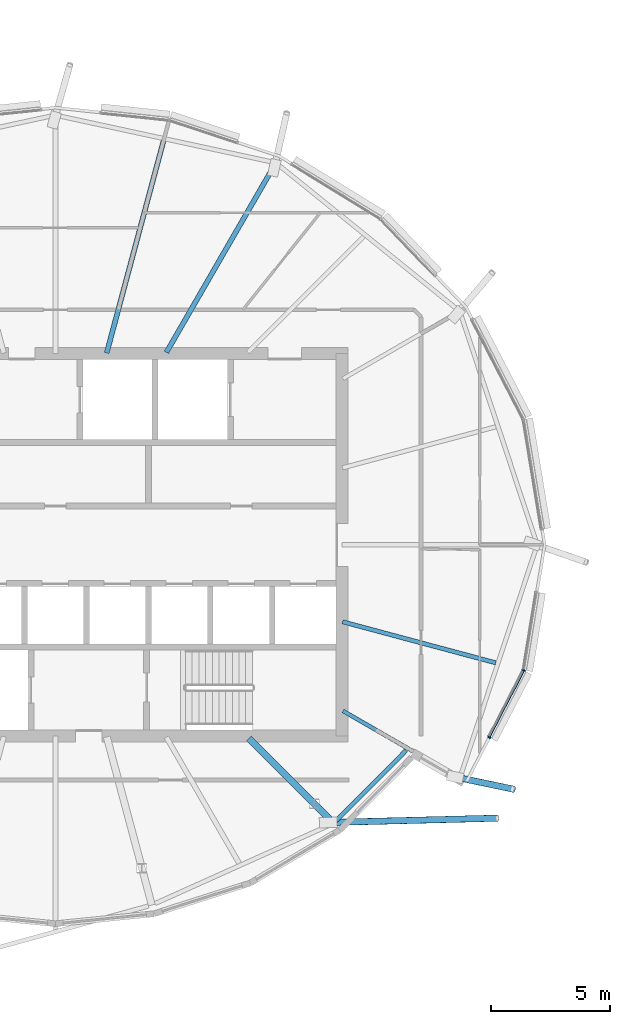
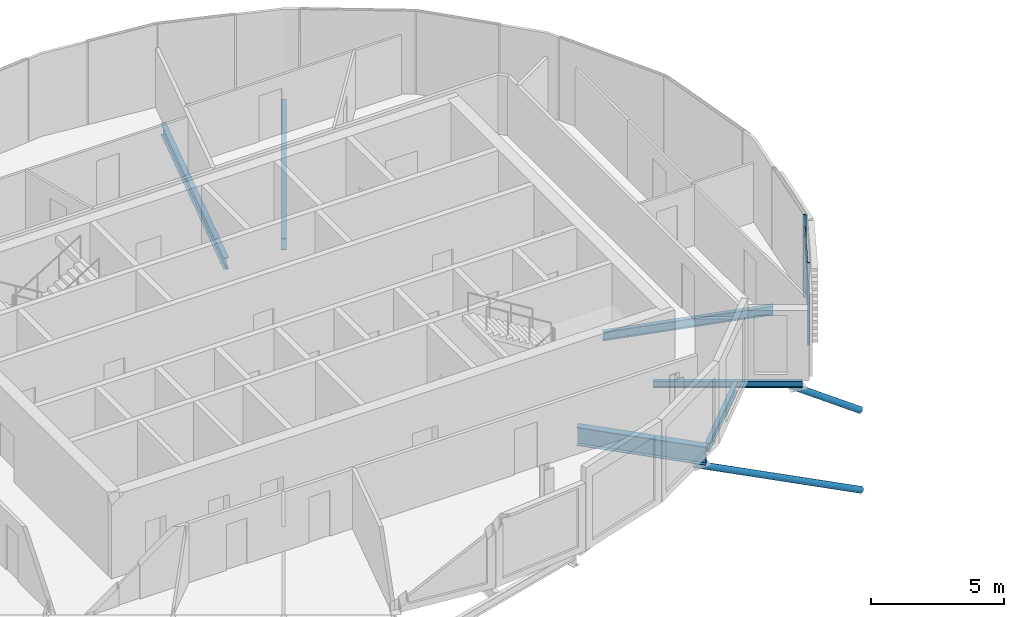
# One storey, part 6 of 33: 6 beams, 5 members, 1 element without a shape of its own.
"""IFC4 building model written with IfcOpenShell, lengths in metres."""

import ifcopenshell
import ifcopenshell.guid

model = None  # the IFC model being written
_history = None  # IfcOwnerHistory: only IFC2X3 demands one
_inside = {}  # id of a spatial element -> (the spatial element, [elements in it])
_under = {}  # id of a project, library or spatial element -> (it, [spatial elements below it])
_declared = {}  # id of a project -> (the project, [libraries it declares])
_typed = {}  # id of a type object -> (the type object, [elements of that type])
_made_of = {}  # id of a material, layer set ... -> (it, [elements and type objects made of it])


def new_model(schema):
    """Start an empty IFC model of exactly this schema.

    Asked for "IFC4X3", IfcOpenShell would pick the latest addendum, in which some entities
    have other attributes; the version numbers below select the first issue.
    IFC2X3 requires an IfcOwnerHistory on every rooted entity: one is made here for all.
    """
    global model, _history
    if schema == "IFC4X3":
        model = ifcopenshell.file(schema_version=(4, 3, 0, 0))
    else:
        model = ifcopenshell.file(schema=schema)
    _inside.clear()
    _under.clear()
    _declared.clear()
    _typed.clear()
    _made_of.clear()
    _history = None
    if model.schema == "IFC2X3":
        org = make("IfcOrganization", Name="unknown")
        user = make(
            "IfcPersonAndOrganization",
            ThePerson=make("IfcPerson", FamilyName="unknown"),
            TheOrganization=org,
        )
        app = make(
            "IfcApplication",
            ApplicationDeveloper=org,
            Version="unknown",
            ApplicationFullName="unknown",
            ApplicationIdentifier="unknown",
        )
        _history = make(
            "IfcOwnerHistory",
            OwningUser=user,
            OwningApplication=app,
            ChangeAction="ADDED",
            CreationDate=0,
        )
    return model


def make(cls, **values):
    """One entity of the class cls with the attributes given. An attribute that is None is left unset."""
    return model.create_entity(
        cls, **{name: value for name, value in values.items() if value is not None}
    )


def rooted(cls, **values):
    """An entity with a GlobalId (a new one), such as an element, a storey or a relation."""
    return make(cls, GlobalId=ifcopenshell.guid.new(), OwnerHistory=_history, **values)


def si_unit(unit_type, name, prefix=None):
    """IfcSIUnit, for example si_unit("LENGTHUNIT", "METRE", prefix="MILLI")."""
    return make("IfcSIUnit", UnitType=unit_type, Prefix=prefix, Name=name)


def assignment(units):
    """IfcUnitAssignment: the units of a project."""
    return None if units is None else make("IfcUnitAssignment", Units=units)


def point(xyz):
    """IfcCartesianPoint."""
    return None if xyz is None else make("IfcCartesianPoint", Coordinates=xyz)


def direction(xyz):
    """IfcDirection."""
    return None if xyz is None else make("IfcDirection", DirectionRatios=xyz)


def frame(location, z_axis=None, x_axis=None):
    """IfcAxis2Placement3D, a coordinate frame: its origin and axes. An axis left out is left unset."""
    return make(
        "IfcAxis2Placement3D",
        Location=point(location),
        Axis=direction(z_axis),
        RefDirection=direction(x_axis),
    )


def frame_2d(location, x_axis=None):
    """IfcAxis2Placement2D, a coordinate frame in the plane: its origin and x axis."""
    return make(
        "IfcAxis2Placement2D", Location=point(location), RefDirection=direction(x_axis)
    )


def origin():
    """The frame at (0, 0, 0) with its axes left unset."""
    return frame((0.0, 0.0, 0.0))


def origin_2d():
    """The frame at (0, 0) in the plane with its x axis left unset."""
    return frame_2d((0.0, 0.0))


def place(relative_to, where):
    """IfcLocalPlacement: puts the frame where relative to a parent placement (None: the world)."""
    return make(
        "IfcLocalPlacement", PlacementRelTo=relative_to, RelativePlacement=where
    )


def context(
    kind, dimensions, precision=None, world=None, true_north=None, identifier=None
):
    """IfcGeometricRepresentationContext, for example the 3D "Model" context."""
    return make(
        "IfcGeometricRepresentationContext",
        ContextIdentifier=identifier,
        ContextType=kind,
        CoordinateSpaceDimension=dimensions,
        Precision=precision,
        WorldCoordinateSystem=world,
        TrueNorth=true_north,
    )


def subcontext(parent, identifier, kind, view, scale=None):
    """IfcGeometricRepresentationSubContext, for example "Body" below "Model"."""
    return make(
        "IfcGeometricRepresentationSubContext",
        ContextIdentifier=identifier,
        ContextType=kind,
        ParentContext=parent,
        TargetScale=scale,
        TargetView=view,
    )


def project(units=None, contexts=None):
    """IfcProject with its units and contexts."""
    return rooted(
        "IfcProject",
        Name="project",
        RepresentationContexts=contexts,
        UnitsInContext=assignment(units),
    )


def spatial(cls, under=None, at=None, **own):
    """A site, building, storey or space (cls), placed at a placement, below another one or the project."""
    s = rooted(cls, ObjectPlacement=at, **own)
    if under is not None:
        _under.setdefault(under.id(), (under, []))[1].append(s)
    return s


def profile(cls, at=None, kind="AREA", **sizes):
    """A parametric profile (cls). Its sizes go by their IFC names, for example OverallWidth=200.0."""
    return make(cls, ProfileType=kind, Position=at, **sizes)


def rectangle(**sizes):
    """IfcRectangleProfileDef."""
    return profile("IfcRectangleProfileDef", **sizes)


def hollow_circle(**sizes):
    """IfcCircleHollowProfileDef."""
    return profile("IfcCircleHollowProfileDef", **sizes)


def i_section(**sizes):
    """IfcIShapeProfileDef."""
    return profile("IfcIShapeProfileDef", **sizes)


def extrude(swept, where, along, depth):
    """IfcExtrudedAreaSolid: the profile swept, set in the frame where, extruded along a direction by depth."""
    return make(
        "IfcExtrudedAreaSolid",
        SweptArea=swept,
        Position=where,
        ExtrudedDirection=direction(along),
        Depth=depth,
    )


def clip(a, b, op="DIFFERENCE"):
    """IfcBooleanClippingResult: the solid a cut by the half space b."""
    return make(
        "IfcBooleanClippingResult", Operator=op, FirstOperand=a, SecondOperand=b
    )


def halfspace(plane, agree):
    """IfcHalfSpaceSolid: all space on one side of the plane z = 0 of the frame plane."""
    return make(
        "IfcHalfSpaceSolid",
        BaseSurface=make("IfcPlane", Position=plane),
        AgreementFlag=agree,
    )


def shape(context_of_items, identifier, shape_type, items):
    """IfcShapeRepresentation: the items that make up one representation, for example the "Body"."""
    return make(
        "IfcShapeRepresentation",
        ContextOfItems=context_of_items,
        RepresentationIdentifier=identifier,
        RepresentationType=shape_type,
        Items=items,
    )


def material(Name=None, Category=None):
    """IfcMaterial."""
    return make("IfcMaterial", Name=Name, Category=Category)


def material_profile(
    of_material, cross_section, Name=None, Category=None, Priority=None
):
    """IfcMaterialProfile: a cross section and its material."""
    return make(
        "IfcMaterialProfile",
        Name=Name,
        Material=of_material,
        Profile=cross_section,
        Priority=Priority,
        Category=Category,
    )


def profile_set(profiles, Name=None, composite=None):
    """IfcMaterialProfileSet."""
    return make(
        "IfcMaterialProfileSet",
        Name=Name,
        MaterialProfiles=profiles,
        CompositeProfile=composite,
    )


def made_of(thing, what):
    """Note that an element or type object is made of a material, layer set ...; save() writes the relation."""
    if what is not None:
        _made_of.setdefault(what.id(), (what, []))[1].append(thing)
    return thing


def type_object(cls, material=None, **own):
    """A type object (cls), such as IfcWallType, which elements share."""
    return made_of(rooted(cls, **own), material)


def element(
    cls,
    number,
    at=None,
    inside=None,
    cuts=None,
    type_object=None,
    material=None,
    context=None,
    identifier="Body",
    shape_type=None,
    held_by="IfcProductDefinitionShape",
    body=None,
    shapes=None,
    **own,
):
    """One element of the class cls, such as IfcWall. Its Tag is "e" and its number.

    at: its placement. inside: the storey or other place that contains it. cuts: it is an
    opening in that element (IfcRelVoidsElement). A single representation is given by context,
    identifier, shape_type and body (its items); several are given by shapes. held_by: the class
    of the entity that holds the representations. save() writes the other relations.
    """
    e = rooted(cls, Tag="e%d" % number, ObjectPlacement=at, **own)
    if body is not None:
        shapes = [shape(context, identifier, shape_type, body)]
    if shapes is not None:
        e.Representation = make(held_by, Representations=shapes)
    if inside is not None:
        _inside.setdefault(inside.id(), (inside, []))[1].append(e)
    if cuts is not None:
        rooted(
            "IfcRelVoidsElement", RelatingBuildingElement=cuts, RelatedOpeningElement=e
        )
    if type_object is not None:
        _typed.setdefault(type_object.id(), (type_object, []))[1].append(e)
    return made_of(e, material)


def aggregate(whole, parts):
    """IfcRelAggregates: a whole, such as a stair, and the parts it consists of."""
    return rooted("IfcRelAggregates", RelatingObject=whole, RelatedObjects=parts)


def save(model, path):
    """Write the relations noted so far, then the file.

    IfcRelAggregates (storeys below a building ...), IfcRelContainedInSpatialStructure (elements
    in a storey), IfcRelDefinesByType, IfcRelAssociatesMaterial and IfcRelDeclares: one each for
    every whole, place, type object, material and project.
    """
    for whole, parts in _under.values():
        aggregate(whole, parts)
    for where, things in _inside.values():
        rooted(
            "IfcRelContainedInSpatialStructure",
            RelatedElements=things,
            RelatingStructure=where,
        )
    for kind, things in _typed.values():
        rooted("IfcRelDefinesByType", RelatedObjects=things, RelatingType=kind)
    for what, things in _made_of.values():
        rooted("IfcRelAssociatesMaterial", RelatedObjects=things, RelatingMaterial=what)
    for by, libraries in _declared.values():
        rooted("IfcRelDeclares", RelatingContext=by, RelatedDefinitions=libraries)
    model.write(path)


model = new_model("IFC4")

# Units and contexts
model_context = context("Model", 3, precision=1e-05, world=origin(), true_north=direction((0.0, 1.0)))
body_context = subcontext(model_context, "Body", "Model", "MODEL_VIEW")
ifc_project = project(units=[si_unit("LENGTHUNIT", "METRE"), si_unit("AREAUNIT", "SQUARE_METRE"), si_unit("VOLUMEUNIT", "CUBIC_METRE"), si_unit("PLANEANGLEUNIT", "RADIAN"), si_unit("MASSUNIT", "GRAM", prefix="KILO")], contexts=[model_context])

# Site, building, storey
site_placement = place(None, origin())
site = spatial("IfcSite", under=ifc_project, at=site_placement, CompositionType="ELEMENT")
building_placement = place(site_placement, origin())
building = spatial("IfcBuilding", under=site, at=building_placement, Name="Rimbun Link Towers", CompositionType="ELEMENT")
storey_placement = place(building_placement, frame((0.0, 0.0, 237.10009765625)))
storey = spatial("IfcBuildingStorey", under=building, at=storey_placement, Name="L58", CompositionType="ELEMENT", Elevation=237.10009765625)

# Curtain wall, members
ifc_material_1 = material(Name="Aluminium 6063-T6 and low-iron glass", Category="aluminium")
curtain_wall_type = type_object("IfcCurtainWallType", Name="CW1-Z4 unitised vision wall (zone 4)", PredefinedType="NOTDEFINED", material=ifc_material_1)
curtain_wall_placement = place(storey_placement, origin())
curtain_wall = element("IfcCurtainWall", 1, at=curtain_wall_placement, inside=storey, type_object=curtain_wall_type, Name="CW1 L58 T1", PredefinedType="NOTDEFINED")
ifc_material_2 = material(Name="Aluminium 6063-T6", Category="aluminium")
ifc_material_profile_1 = material_profile(ifc_material_2, rectangle(XDim=0.1201171875, YDim=0.06005859375, at=origin_2d()), Name="MULLION 60X120")
ifc_profile_set_1 = profile_set([ifc_material_profile_1], Name="Aluminium 6063-T6")
member_type_1 = type_object("IfcMemberType", Name="CW1 mullion 60X120", PredefinedType="MULLION", material=ifc_profile_set_1)
member_1_placement = place(storey_placement, frame((-12.1298828125, -5.260986328125, 0.0), z_axis=(0.0, 0.0, 1.0), x_axis=(0.949161339918, -0.314790010651, 0.0)))
member_1 = element("IfcMember", 2, at=member_1_placement, type_object=member_type_1, Name="CW1 mullion", PredefinedType="MULLION", context=body_context, shape_type="SweptSolid", body=[
    extrude(rectangle(XDim=0.1201171875, YDim=0.06005859375, at=origin_2d()), origin(), (0.0, 0.0, 1.0), 3.7998046875),
])
member_2_placement = place(storey_placement, frame((-13.579833984375, -8.06494140625, 0.0), z_axis=(0.0, 0.0, 1.0), x_axis=(0.888151937067, -0.459549928391, 0.0)))
member_2 = element("IfcMember", 3, at=member_2_placement, type_object=member_type_1, Name="CW1 mullion", PredefinedType="MULLION", context=body_context, shape_type="SweptSolid", body=[
    extrude(rectangle(XDim=0.1201171875, YDim=0.06005859375, at=origin_2d()), origin(), (0.0, 0.0, 1.0), 3.7998046875),
])
ifc_material_3 = material(Name="Aluminium 6063-T6", Category="aluminium")
ifc_material_profile_2 = material_profile(ifc_material_3, rectangle(XDim=0.06005859375, YDim=0.1201171875, at=origin_2d()), Name="TRANSOM 60X120")
ifc_profile_set_2 = profile_set([ifc_material_profile_2], Name="Aluminium 6063-T6")
member_type_2 = type_object("IfcMemberType", Name="CW1 transom 60X120", PredefinedType="USERDEFINED", material=ifc_profile_set_2)
member_3_placement = place(storey_placement, frame((-12.149169921875, -5.29541015625, 3.199951171875), z_axis=(-0.459506813834, -0.888174244189, 0.0), x_axis=(0.888174244189, -0.459506813834, 0.0)))
member_3 = element("IfcMember", 4, at=member_3_placement, type_object=member_type_2, Name="CW1 transom", ObjectType="TRANSOM", PredefinedType="USERDEFINED", context=body_context, shape_type="SweptSolid", body=[
    extrude(rectangle(XDim=0.06005859375, YDim=0.1201171875, at=origin_2d()), origin(), (0.0, 0.0, 1.0), 3.08740234375),
])
aggregate(curtain_wall, [member_1, member_2, member_3])

# Members
ifc_material_4 = material(Name="Steel S355J2H", Category="steel")
ifc_material_profile_3 = material_profile(ifc_material_4, hollow_circle(Radius=0.136474609375, WallThickness=0.012451171875, at=origin_2d()), Name="CHS 273x12.5")
ifc_profile_set_3 = profile_set([ifc_material_profile_3], Name="Steel S355J2H")
member_type_3 = type_object("IfcMemberType", Name="Floor edge link CHS 273x12.5", PredefinedType="BRACE", material=ifc_profile_set_3)
member_4_placement = place(storey_placement, frame((-20.132080078125, -11.617919921875, -1.102783203125), z_axis=(0.884674721109, 0.022692003758, -0.465656215245), x_axis=(-0.025641676025, 0.99967119817, 0.0)))
element("IfcMember", 5, at=member_4_placement, inside=storey, type_object=member_type_3, Name="Floor edge link T1 L58 21", PredefinedType="BRACE", context=body_context, shape_type="Clipping", body=[
    clip(extrude(hollow_circle(Radius=0.136474609375, WallThickness=0.012451171875, at=origin_2d()), frame((0.0, 0.0, -0.540283203125)), (0.0, 0.0, 1.0), 8.329833984375), halfspace(frame((0.0, 0.0, -0.257568359375), z_axis=(0.0, 0.88496569945, -0.465656215245)), False)),
])
member_5_placement = place(storey_placement, frame((-14.864501953125, -9.748779296875, -0.558837890625), z_axis=(0.828728538409, -0.173700375326, -0.532012395755), x_axis=(0.205140987735, 0.97873243287, 0.0)))
element("IfcMember", 6, at=member_5_placement, inside=storey, type_object=member_type_3, Name="Floor edge link T1 L58 22", PredefinedType="BRACE", context=body_context, shape_type="Clipping", body=[
    clip(extrude(hollow_circle(Radius=0.136474609375, WallThickness=0.012451171875, at=origin_2d()), frame((0.0, 0.0, -0.453369140625)), (0.0, 0.0, 1.0), 3.227783203125), halfspace(frame((0.0, 0.0, -0.213134765625), z_axis=(0.0, 0.84673656515, -0.532012395755)), False)),
])

# Beams
ifc_material_5 = material(Name="Steel S355J2", Category="steel")
ifc_material_profile_4 = material_profile(ifc_material_5, i_section(OverallWidth=0.1650390625, OverallDepth=0.303466796875, WebThickness=0.006103515625, FlangeThickness=0.01025390625, at=origin_2d()), Name="UB 305x165x40")
ifc_profile_set_4 = profile_set([ifc_material_profile_4], Name="Steel S355J2")
beam_type_1 = type_object("IfcBeamType", Name="UB 305x165x40", PredefinedType="BEAM", material=ifc_profile_set_4)
beam_1_placement = place(storey_placement, frame((-19.7080078125, -6.952392578125, -0.291748046875), z_axis=(0.866029956157, -0.499992114976, 0.0), x_axis=(0.499992114976, 0.866029956157, 0.0)))
element("IfcBeam", 7, at=beam_1_placement, inside=storey, type_object=beam_type_1, Name="Radial beam T1 L58 22", PredefinedType="BEAM", context=body_context, shape_type="SweptSolid", body=[
    extrude(i_section(OverallWidth=0.1650390625, OverallDepth=0.303466796875, WebThickness=0.006103515625, FlangeThickness=0.01025390625, at=origin_2d()), origin(), (0.0, 0.0, 1.0), 5.642578125),
])
ifc_material_6 = material(Name="Steel S355J2", Category="steel")
ifc_material_profile_5 = material_profile(ifc_material_6, i_section(OverallWidth=0.177978515625, OverallDepth=0.406494140625, WebThickness=0.0078125, FlangeThickness=0.0126953125, at=origin_2d()), Name="UB 406x178x60")
ifc_profile_set_5 = profile_set([ifc_material_profile_5], Name="Steel S355J2")
beam_type_2 = type_object("IfcBeamType", Name="UB 406x178x60", PredefinedType="BEAM", material=ifc_profile_set_5)
beam_2_placement = place(storey_placement, frame((-19.72607421875, -3.2216796875, -0.34326171875), z_axis=(0.965919329481, -0.258843290303, 0.0), x_axis=(0.258843290303, 0.965919329481, 0.0)))
element("IfcBeam", 8, at=beam_2_placement, inside=storey, type_object=beam_type_2, Name="Radial beam T1 L58 23", PredefinedType="BEAM", context=body_context, shape_type="SweptSolid", body=[
    extrude(i_section(OverallWidth=0.177978515625, OverallDepth=0.406494140625, WebThickness=0.0078125, FlangeThickness=0.0126953125, at=origin_2d()), origin(), (0.0, 0.0, 1.0), 6.64013671875),
])
beam_3_placement = place(storey_placement, frame((-19.992919921875, -11.548583984375, -0.34326171875), z_axis=(0.704811284696, 0.709394849829, 0.0), x_axis=(-0.709394849829, 0.704811284696, 0.0)))
element("IfcBeam", 9, at=beam_3_placement, inside=storey, type_object=beam_type_2, Name="Edge beam T1 L58 21 recess", PredefinedType="BEAM", context=body_context, shape_type="SweptSolid", body=[
    extrude(i_section(OverallWidth=0.177978515625, OverallDepth=0.406494140625, WebThickness=0.0078125, FlangeThickness=0.0126953125, at=origin_2d()), origin(), (0.0, 0.0, 1.0), 4.154541015625),
])
ifc_material_7 = material(Name="Steel S355J2", Category="steel")
ifc_material_profile_6 = material_profile(ifc_material_7, i_section(OverallWidth=0.209228515625, OverallDepth=0.533203125, WebThickness=0.010009765625, FlangeThickness=0.015625, at=origin_2d()), Name="UB 533x210x92")
ifc_profile_set_6 = profile_set([ifc_material_profile_6], Name="Steel S355J2")
beam_type_3 = type_object("IfcBeamType", Name="UB 533x210x92", PredefinedType="BEAM", material=ifc_profile_set_6)
beam_4_placement = place(storey_placement, frame((-27.1005859375, 8.05322265625, -0.406494140625), z_axis=(0.500016122821, 0.866016095069, 0.0), x_axis=(-0.866016095069, 0.500016122821, 0.0)))
element("IfcBeam", 10, at=beam_4_placement, inside=storey, type_object=beam_type_3, Name="Radial beam T1 L58 04", PredefinedType="BEAM", context=body_context, shape_type="SweptSolid", body=[
    extrude(i_section(OverallWidth=0.209228515625, OverallDepth=0.533203125, WebThickness=0.010009765625, FlangeThickness=0.015625, at=origin_2d()), origin(), (0.0, 0.0, 1.0), 9.163330078125),
])
beam_5_placement = place(storey_placement, frame((-29.598876953125, 8.028076171875, -0.406494140625), z_axis=(0.2588320469, 0.965922342374, 0.0), x_axis=(-0.965922342374, 0.2588320469, 0.0)))
element("IfcBeam", 11, at=beam_5_placement, inside=storey, type_object=beam_type_3, Name="Radial beam T1 L58 05", PredefinedType="BEAM", context=body_context, shape_type="SweptSolid", body=[
    extrude(i_section(OverallWidth=0.209228515625, OverallDepth=0.533203125, WebThickness=0.010009765625, FlangeThickness=0.015625, at=origin_2d()), origin(), (0.0, 0.0, 1.0), 9.198486328125),
])
ifc_material_8 = material(Name="Steel S355J2", Category="steel")
ifc_material_profile_7 = material_profile(ifc_material_8, i_section(OverallWidth=0.29248046875, OverallDepth=0.8408203125, WebThickness=0.0126953125, FlangeThickness=0.021728515625, at=origin_2d()), Name="UB 838x292x194")
ifc_profile_set_7 = profile_set([ifc_material_profile_7], Name="Steel S355J2")
beam_type_4 = type_object("IfcBeamType", Name="UB 838x292x194", PredefinedType="BEAM", material=ifc_profile_set_7)
beam_6_placement = place(storey_placement, frame((-23.64599609375, -8.10400390625, -0.560546875), z_axis=(0.707106781187, -0.707106781187, 0.0), x_axis=(0.707106781187, 0.707106781187, 0.0)))
element("IfcBeam", 12, at=beam_6_placement, inside=storey, type_object=beam_type_4, Name="Radial beam T1 L58 21", PredefinedType="BEAM", context=body_context, shape_type="SweptSolid", body=[
    extrude(i_section(OverallWidth=0.29248046875, OverallDepth=0.8408203125, WebThickness=0.0126953125, FlangeThickness=0.021728515625, at=origin_2d()), origin(), (0.0, 0.0, 1.0), 5.01953125),
])

save(model, "model.ifc")
